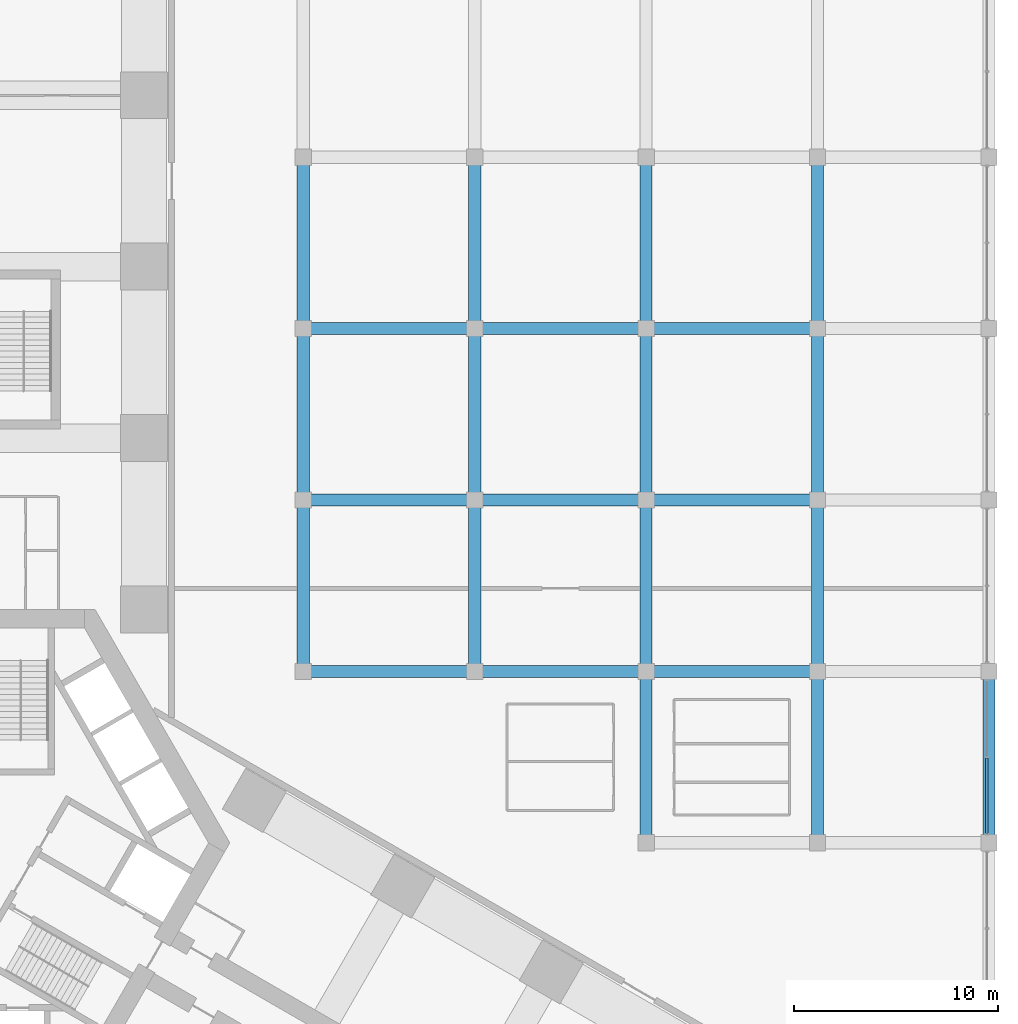
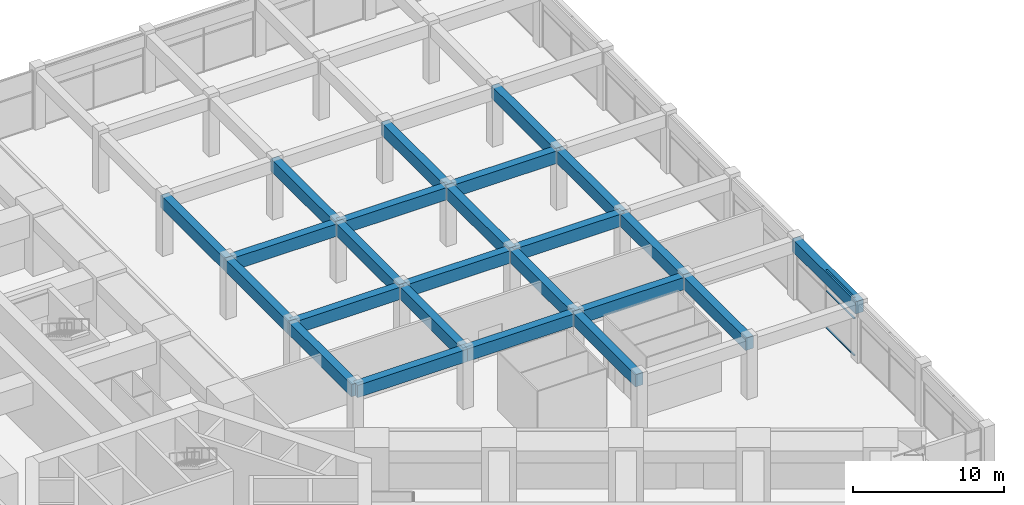
# One storey, part 15 of 34: 24 beams, 3 members, 1 element without a shape of its own.
"""IFC4 building model written with IfcOpenShell, lengths in metres."""

from ifc_helpers import new_model, si_unit, direction, frame, origin, origin_2d, place, context, subcontext, project, spatial, rectangle, extrude, material, material_profile, profile_set, type_object, element, aggregate, save


model = new_model("IFC4")

# Units and contexts
model_context = context("Model", 3, precision=1e-05, world=origin(), true_north=direction((0.0, 1.0)))
body_context = subcontext(model_context, "Body", "Model", "MODEL_VIEW")
ifc_project = project(units=[si_unit("LENGTHUNIT", "METRE"), si_unit("AREAUNIT", "SQUARE_METRE"), si_unit("VOLUMEUNIT", "CUBIC_METRE"), si_unit("PLANEANGLEUNIT", "RADIAN"), si_unit("MASSUNIT", "GRAM", prefix="KILO")], contexts=[model_context])

# Site, building, storey
site_placement = place(None, origin())
site = spatial("IfcSite", under=ifc_project, at=site_placement, CompositionType="ELEMENT")
building_placement = place(site_placement, origin())
building = spatial("IfcBuilding", under=site, at=building_placement, Name="Impinga Residences", CompositionType="ELEMENT")
storey_placement = place(building_placement, frame((0.0, 0.0, 16.0)))
storey = spatial("IfcBuildingStorey", under=building, at=storey_placement, Name="L03", CompositionType="ELEMENT", Elevation=16.0)

# Curtain wall, members
ifc_material_1 = material(Name="Aluminium stick curtain wall", Category="aluminium")
curtain_wall_type = type_object("IfcCurtainWallType", Name="CW1 podium amenity curtain wall", PredefinedType="USERDEFINED", material=ifc_material_1)
curtain_wall_placement = place(storey_placement, origin())
curtain_wall = element("IfcCurtainWall", 1, at=curtain_wall_placement, inside=storey, type_object=curtain_wall_type, Name="Curtain wall CW1 L03", ObjectType="STICK CURTAIN WALL", PredefinedType="USERDEFINED")
ifc_material_2 = material(Name="Aluminium transom", Category="aluminium")
ifc_material_profile_1 = material_profile(ifc_material_2, rectangle(XDim=0.06005859375, YDim=0.1201171875, at=origin_2d()), Name="60x120 transom")
ifc_profile_set_1 = profile_set([ifc_material_profile_1], Name="Aluminium transom")
member_type = type_object("IfcMemberType", Name="CW1-T transom 60x120", PredefinedType="USERDEFINED", material=ifc_profile_set_1)
member_1_placement = place(storey_placement, frame((50.300048828125, 4.169921875, 0.030029296875), z_axis=(0.0, -1.0, 0.0), x_axis=(0.0, 0.0, 1.0)))
member_1 = element("IfcMember", 2, at=member_1_placement, type_object=member_type, Name="CW1 transom 2.1", ObjectType="TRANSOM", PredefinedType="USERDEFINED", context=body_context, shape_type="SweptSolid", body=[
    extrude(rectangle(XDim=0.06005859375, YDim=0.1201171875, at=origin_2d()), origin(), (0.0, 0.0, 1.0), 3.70703125),
])
member_2_placement = place(storey_placement, frame((50.300048828125, 4.169921875, 3.0), z_axis=(0.0, -1.0, 0.0), x_axis=(0.0, 0.0, 1.0)))
member_2 = element("IfcMember", 3, at=member_2_placement, type_object=member_type, Name="CW1 transom 2.2", ObjectType="TRANSOM", PredefinedType="USERDEFINED", context=body_context, shape_type="SweptSolid", body=[
    extrude(rectangle(XDim=0.06005859375, YDim=0.1201171875, at=origin_2d()), origin(), (0.0, 0.0, 1.0), 3.70703125),
])
member_3_placement = place(storey_placement, frame((50.300048828125, 4.169921875, 4.669921875), z_axis=(0.0, -1.0, 0.0), x_axis=(0.0, 0.0, 1.0)))
member_3 = element("IfcMember", 4, at=member_3_placement, type_object=member_type, Name="CW1 transom 2.3", ObjectType="TRANSOM", PredefinedType="USERDEFINED", context=body_context, shape_type="SweptSolid", body=[
    extrude(rectangle(XDim=0.06005859375, YDim=0.1201171875, at=origin_2d()), origin(), (0.0, 0.0, 1.0), 3.70703125),
])
aggregate(curtain_wall, [member_1, member_2, member_3])

# Beams
ifc_material_3 = material(Name="Concrete C60/75", Category="concrete")
ifc_material_profile_2 = material_profile(ifc_material_3, rectangle(XDim=0.60009765625, YDim=1.0, at=origin_2d()), Name="RC 600x1000")
ifc_profile_set_2 = profile_set([ifc_material_profile_2], Name="Concrete C60/75")
beam_type = type_object("IfcBeamType", Name="PB2 600x1000 podium beam", PredefinedType="BEAM", material=ifc_profile_set_2)
beam_1_placement = place(storey_placement, frame((16.800048828125, 8.39990234375, 4.199951171875), z_axis=(1.0, 0.0, 0.0), x_axis=(0.0, 1.0, 0.0)))
element("IfcBeam", 5, at=beam_1_placement, inside=storey, type_object=beam_type, Name="Beam PB2 G/9-10 level L04", PredefinedType="BEAM", context=body_context, shape_type="SweptSolid", body=[
    extrude(rectangle(XDim=0.60009765625, YDim=1.0, at=origin_2d()), origin(), (0.0, 0.0, 1.0), 8.39990234375),
])
beam_2_placement = place(storey_placement, frame((25.199951171875, 8.39990234375, 4.199951171875), z_axis=(1.0, 0.0, 0.0), x_axis=(0.0, 1.0, 0.0)))
element("IfcBeam", 6, at=beam_2_placement, inside=storey, type_object=beam_type, Name="Beam PB2 G/10-11 level L04", PredefinedType="BEAM", context=body_context, shape_type="SweptSolid", body=[
    extrude(rectangle(XDim=0.60009765625, YDim=1.0, at=origin_2d()), origin(), (0.0, 0.0, 1.0), 8.400146484375),
])
for number, where, z_axis, x_axis, name in (
    (7, (33.60009765625, 8.39990234375, 4.199951171875), (1.0, 0.0, 0.0), (0.0, 1.0, 0.0), "Beam PB2 G/11-12 level L04"),
    (8, (16.800048828125, 16.800048828125, 4.199951171875), (1.0, 0.0, 0.0), (0.0, 1.0, 0.0), "Beam PB2 H/9-10 level L04"),
):
    element("IfcBeam", number, at=place(storey_placement, frame(where, z_axis=z_axis, x_axis=x_axis)), inside=storey, type_object=beam_type, Name=name, PredefinedType="BEAM", context=body_context, shape_type="SweptSolid", body=[
        extrude(rectangle(XDim=0.60009765625, YDim=1.0, at=origin_2d()), origin(), (0.0, 0.0, 1.0), 8.39990234375),
    ])
beam_3_placement = place(storey_placement, frame((25.199951171875, 16.800048828125, 4.199951171875), z_axis=(1.0, 0.0, 0.0), x_axis=(0.0, 1.0, 0.0)))
element("IfcBeam", 9, at=beam_3_placement, inside=storey, type_object=beam_type, Name="Beam PB2 H/10-11 level L04", PredefinedType="BEAM", context=body_context, shape_type="SweptSolid", body=[
    extrude(rectangle(XDim=0.60009765625, YDim=1.0, at=origin_2d()), origin(), (0.0, 0.0, 1.0), 8.400146484375),
])
for number, where, z_axis, x_axis, name in (
    (10, (33.60009765625, 16.800048828125, 4.199951171875), (1.0, 0.0, 0.0), (0.0, 1.0, 0.0), "Beam PB2 H/11-12 level L04"),
    (11, (16.800048828125, 25.199951171875, 4.199951171875), (1.0, 0.0, 0.0), (0.0, 1.0, 0.0), "Beam PB2 J/9-10 level L04"),
):
    element("IfcBeam", number, at=place(storey_placement, frame(where, z_axis=z_axis, x_axis=x_axis)), inside=storey, type_object=beam_type, Name=name, PredefinedType="BEAM", context=body_context, shape_type="SweptSolid", body=[
        extrude(rectangle(XDim=0.60009765625, YDim=1.0, at=origin_2d()), origin(), (0.0, 0.0, 1.0), 8.39990234375),
    ])
beam_4_placement = place(storey_placement, frame((25.199951171875, 25.199951171875, 4.199951171875), z_axis=(1.0, 0.0, 0.0), x_axis=(0.0, 1.0, 0.0)))
element("IfcBeam", 12, at=beam_4_placement, inside=storey, type_object=beam_type, Name="Beam PB2 J/10-11 level L04", PredefinedType="BEAM", context=body_context, shape_type="SweptSolid", body=[
    extrude(rectangle(XDim=0.60009765625, YDim=1.0, at=origin_2d()), origin(), (0.0, 0.0, 1.0), 8.400146484375),
])
beam_5_placement = place(storey_placement, frame((33.60009765625, 25.199951171875, 4.199951171875), z_axis=(1.0, 0.0, 0.0), x_axis=(0.0, 1.0, 0.0)))
element("IfcBeam", 13, at=beam_5_placement, inside=storey, type_object=beam_type, Name="Beam PB2 J/11-12 level L04", PredefinedType="BEAM", context=body_context, shape_type="SweptSolid", body=[
    extrude(rectangle(XDim=0.60009765625, YDim=1.0, at=origin_2d()), origin(), (0.0, 0.0, 1.0), 8.39990234375),
])
beam_6_placement = place(storey_placement, frame((16.800048828125, 8.39990234375, 4.199951171875), z_axis=(0.0, 1.0, 0.0), x_axis=(-1.0, 0.0, 0.0)))
element("IfcBeam", 14, at=beam_6_placement, inside=storey, type_object=beam_type, Name="Beam PB2 9/G-H level L04", PredefinedType="BEAM", context=body_context, shape_type="SweptSolid", body=[
    extrude(rectangle(XDim=0.60009765625, YDim=1.0, at=origin_2d()), origin(), (0.0, 0.0, 1.0), 8.400146484375),
])
beam_7_placement = place(storey_placement, frame((16.800048828125, 16.800048828125, 4.199951171875), z_axis=(0.0, 1.0, 0.0), x_axis=(-1.0, 0.0, 0.0)))
element("IfcBeam", 15, at=beam_7_placement, inside=storey, type_object=beam_type, Name="Beam PB2 9/H-J level L04", PredefinedType="BEAM", context=body_context, shape_type="SweptSolid", body=[
    extrude(rectangle(XDim=0.60009765625, YDim=1.0, at=origin_2d()), origin(), (0.0, 0.0, 1.0), 8.39990234375),
])
for number, where, z_axis, x_axis, name in (
    (16, (16.800048828125, 25.199951171875, 4.199951171875), (0.0, 1.0, 0.0), (-1.0, 0.0, 0.0), "Beam PB2 9/J-K level L04"),
    (17, (25.199951171875, 8.39990234375, 4.199951171875), (0.0, 1.0, 0.0), (-1.0, 0.0, 0.0), "Beam PB2 10/G-H level L04"),
):
    element("IfcBeam", number, at=place(storey_placement, frame(where, z_axis=z_axis, x_axis=x_axis)), inside=storey, type_object=beam_type, Name=name, PredefinedType="BEAM", context=body_context, shape_type="SweptSolid", body=[
        extrude(rectangle(XDim=0.60009765625, YDim=1.0, at=origin_2d()), origin(), (0.0, 0.0, 1.0), 8.400146484375),
    ])
beam_8_placement = place(storey_placement, frame((25.199951171875, 16.800048828125, 4.199951171875), z_axis=(0.0, 1.0, 0.0), x_axis=(-1.0, 0.0, 0.0)))
element("IfcBeam", 18, at=beam_8_placement, inside=storey, type_object=beam_type, Name="Beam PB2 10/H-J level L04", PredefinedType="BEAM", context=body_context, shape_type="SweptSolid", body=[
    extrude(rectangle(XDim=0.60009765625, YDim=1.0, at=origin_2d()), origin(), (0.0, 0.0, 1.0), 8.39990234375),
])
beam_9_placement = place(storey_placement, frame((25.199951171875, 25.199951171875, 4.199951171875), z_axis=(0.0, 1.0, 0.0), x_axis=(-1.0, 0.0, 0.0)))
element("IfcBeam", 19, at=beam_9_placement, inside=storey, type_object=beam_type, Name="Beam PB2 10/J-K level L04", PredefinedType="BEAM", context=body_context, shape_type="SweptSolid", body=[
    extrude(rectangle(XDim=0.60009765625, YDim=1.0, at=origin_2d()), origin(), (0.0, 0.0, 1.0), 8.400146484375),
])
beam_10_placement = place(storey_placement, frame((33.60009765625, 0.0, 4.199951171875), z_axis=(0.0, 1.0, 0.0), x_axis=(-1.0, 0.0, 0.0)))
element("IfcBeam", 20, at=beam_10_placement, inside=storey, type_object=beam_type, Name="Beam PB2 11/F-G level L04", PredefinedType="BEAM", context=body_context, shape_type="SweptSolid", body=[
    extrude(rectangle(XDim=0.60009765625, YDim=1.0, at=origin_2d()), origin(), (0.0, 0.0, 1.0), 8.39990234375),
])
beam_11_placement = place(storey_placement, frame((33.60009765625, 8.39990234375, 4.199951171875), z_axis=(0.0, 1.0, 0.0), x_axis=(-1.0, 0.0, 0.0)))
element("IfcBeam", 21, at=beam_11_placement, inside=storey, type_object=beam_type, Name="Beam PB2 11/G-H level L04", PredefinedType="BEAM", context=body_context, shape_type="SweptSolid", body=[
    extrude(rectangle(XDim=0.60009765625, YDim=1.0, at=origin_2d()), origin(), (0.0, 0.0, 1.0), 8.400146484375),
])
beam_12_placement = place(storey_placement, frame((33.60009765625, 16.800048828125, 4.199951171875), z_axis=(0.0, 1.0, 0.0), x_axis=(-1.0, 0.0, 0.0)))
element("IfcBeam", 22, at=beam_12_placement, inside=storey, type_object=beam_type, Name="Beam PB2 11/H-J level L04", PredefinedType="BEAM", context=body_context, shape_type="SweptSolid", body=[
    extrude(rectangle(XDim=0.60009765625, YDim=1.0, at=origin_2d()), origin(), (0.0, 0.0, 1.0), 8.39990234375),
])
beam_13_placement = place(storey_placement, frame((33.60009765625, 25.199951171875, 4.199951171875), z_axis=(0.0, 1.0, 0.0), x_axis=(-1.0, 0.0, 0.0)))
element("IfcBeam", 23, at=beam_13_placement, inside=storey, type_object=beam_type, Name="Beam PB2 11/J-K level L04", PredefinedType="BEAM", context=body_context, shape_type="SweptSolid", body=[
    extrude(rectangle(XDim=0.60009765625, YDim=1.0, at=origin_2d()), origin(), (0.0, 0.0, 1.0), 8.400146484375),
])
beam_14_placement = place(storey_placement, frame((42.0, 0.0, 4.199951171875), z_axis=(0.0, 1.0, 0.0), x_axis=(-1.0, 0.0, 0.0)))
element("IfcBeam", 24, at=beam_14_placement, inside=storey, type_object=beam_type, Name="Beam PB2 12/F-G level L04", PredefinedType="BEAM", context=body_context, shape_type="SweptSolid", body=[
    extrude(rectangle(XDim=0.60009765625, YDim=1.0, at=origin_2d()), origin(), (0.0, 0.0, 1.0), 8.39990234375),
])
beam_15_placement = place(storey_placement, frame((42.0, 8.39990234375, 4.199951171875), z_axis=(0.0, 1.0, 0.0), x_axis=(-1.0, 0.0, 0.0)))
element("IfcBeam", 25, at=beam_15_placement, inside=storey, type_object=beam_type, Name="Beam PB2 12/G-H level L04", PredefinedType="BEAM", context=body_context, shape_type="SweptSolid", body=[
    extrude(rectangle(XDim=0.60009765625, YDim=1.0, at=origin_2d()), origin(), (0.0, 0.0, 1.0), 8.400146484375),
])
beam_16_placement = place(storey_placement, frame((42.0, 16.800048828125, 4.199951171875), z_axis=(0.0, 1.0, 0.0), x_axis=(-1.0, 0.0, 0.0)))
element("IfcBeam", 26, at=beam_16_placement, inside=storey, type_object=beam_type, Name="Beam PB2 12/H-J level L04", PredefinedType="BEAM", context=body_context, shape_type="SweptSolid", body=[
    extrude(rectangle(XDim=0.60009765625, YDim=1.0, at=origin_2d()), origin(), (0.0, 0.0, 1.0), 8.39990234375),
])
beam_17_placement = place(storey_placement, frame((42.0, 25.199951171875, 4.199951171875), z_axis=(0.0, 1.0, 0.0), x_axis=(-1.0, 0.0, 0.0)))
element("IfcBeam", 27, at=beam_17_placement, inside=storey, type_object=beam_type, Name="Beam PB2 12/J-K level L04", PredefinedType="BEAM", context=body_context, shape_type="SweptSolid", body=[
    extrude(rectangle(XDim=0.60009765625, YDim=1.0, at=origin_2d()), origin(), (0.0, 0.0, 1.0), 8.400146484375),
])
beam_18_placement = place(storey_placement, frame((50.39990234375, 0.0, 4.199951171875), z_axis=(0.0, 1.0, 0.0), x_axis=(-1.0, 0.0, 0.0)))
element("IfcBeam", 28, at=beam_18_placement, inside=storey, type_object=beam_type, Name="Beam PB2 13/F-G level L04", PredefinedType="BEAM", context=body_context, shape_type="SweptSolid", body=[
    extrude(rectangle(XDim=0.60009765625, YDim=1.0, at=origin_2d()), origin(), (0.0, 0.0, 1.0), 8.39990234375),
])

save(model, "model.ifc")
